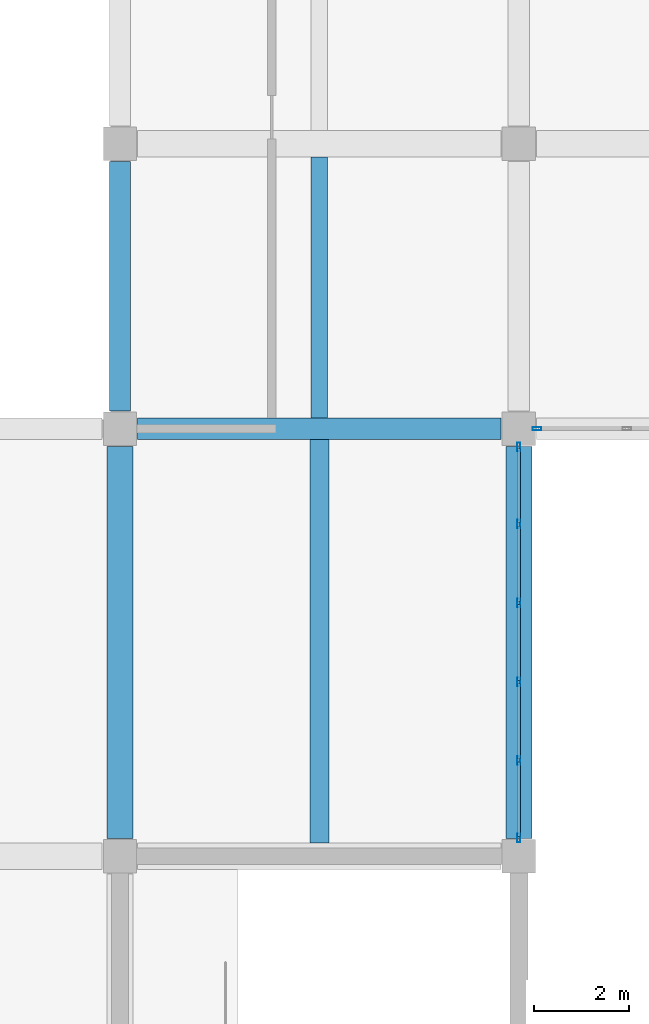
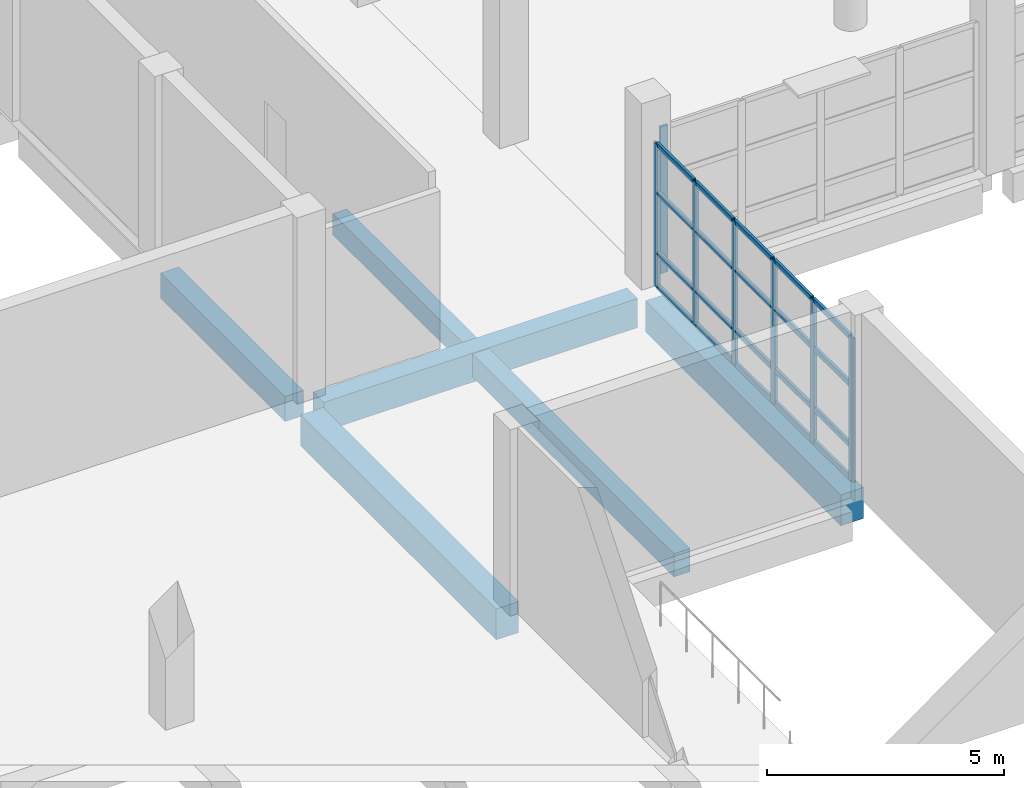
# One storey, part 14 of 91: 27 members, 6 beams, 2 elements without a shape of their own.
"""IFC4 building model written with IfcOpenShell, lengths in metres."""

from ifc_helpers import new_model, si_unit, direction, frame, origin, origin_2d, place, context, subcontext, project, spatial, rectangle, hollow_rectangle, extrude, material, material_profile, profile_set, type_object, element, aggregate, save


model = new_model("IFC4")

# Units and contexts
model_context = context("Model", 3, precision=1e-05, world=origin(), true_north=direction((0.0, 1.0)))
body_context = subcontext(model_context, "Body", "Model", "MODEL_VIEW")
ifc_project = project(units=[si_unit("LENGTHUNIT", "METRE"), si_unit("AREAUNIT", "SQUARE_METRE"), si_unit("VOLUMEUNIT", "CUBIC_METRE"), si_unit("PLANEANGLEUNIT", "RADIAN"), si_unit("MASSUNIT", "GRAM", prefix="KILO")], contexts=[model_context])

# Site, building, storey
site_placement = place(None, origin())
site = spatial("IfcSite", under=ifc_project, at=site_placement, CompositionType="ELEMENT")
building_placement = place(site_placement, origin())
building = spatial("IfcBuilding", under=site, at=building_placement, Name="Pellamere Symphony Hall", CompositionType="ELEMENT")
storey_placement = place(building_placement, frame((0.0, 0.0, 5.39990234375)))
storey = spatial("IfcBuildingStorey", under=building, at=storey_placement, Name="L01", CompositionType="ELEMENT", Elevation=5.39990234375)

# Curtain wall, member
ifc_material_1 = material(Name="Thermally Broken Anodised Aluminium 6063-T6 Curtain Wall", Category="aluminium")
curtain_wall_type_1 = type_object("IfcCurtainWallType", Name="Curtain Wall CW-02 (Winter-Garden South Concourse Curtain Wall)", PredefinedType="NOTDEFINED", material=ifc_material_1)
curtain_wall_1_placement = place(storey_placement, origin())
curtain_wall_1 = element("IfcCurtainWall", 1, at=curtain_wall_1_placement, inside=storey, type_object=curtain_wall_type_1, Name="Winter-Garden South Curtain Wall (L01 Bay 1)", PredefinedType="NOTDEFINED")
ifc_material_2 = material(Name="Anodised Architectural Aluminium 6063-T6", Category="aluminium")
ifc_material_profile_1 = material_profile(ifc_material_2, hollow_rectangle(XDim=0.06494140625, YDim=0.179931640625, WallThickness=0.00390625, at=origin_2d()), Name="ALU-M65X180X4")
ifc_profile_set_1 = profile_set([ifc_material_profile_1], Name="Anodised Architectural Aluminium 6063-T6")
member_type_1 = type_object("IfcMemberType", Name="Curtain Wall Mullion ML-02 ALU-M65X180X4", PredefinedType="MULLION", material=ifc_profile_set_1)
member_1_placement = place(storey_placement, frame((42.382568359375, 18.0, 0.0), z_axis=(0.0, 0.0, 1.0), x_axis=(0.0, 1.0, 0.0)))
member_1 = element("IfcMember", 2, at=member_1_placement, type_object=member_type_1, Name="CW2-066 crystal mullion 1", PredefinedType="MULLION", context=body_context, shape_type="SweptSolid", body=[
    extrude(hollow_rectangle(XDim=0.06494140625, YDim=0.179931640625, WallThickness=0.00390625, at=origin_2d()), origin(), (0.0, 0.0, 1.0), 3.780029296875),
])
aggregate(curtain_wall_1, [member_1])

# Curtain wall, members
curtain_wall_type_2 = type_object("IfcCurtainWallType", Name="Curtain Wall CW-04 (Chamber Music Lobby Curtain Wall)", PredefinedType="NOTDEFINED", material=ifc_material_1)
curtain_wall_2_placement = place(storey_placement, origin())
curtain_wall_2 = element("IfcCurtainWall", 3, at=curtain_wall_2_placement, inside=storey, type_object=curtain_wall_type_2, Name="Chamber Forecourt East Curtain Wall (L01 Bay 1)", PredefinedType="NOTDEFINED")
member_2_placement = place(storey_placement, frame((42.0, 9.382568359375, 0.0), z_axis=(0.0, 0.0, 1.0), x_axis=(-1.0, 0.0, 0.0)))
member_2 = element("IfcMember", 4, at=member_2_placement, type_object=member_type_1, Name="CW4E-116 crystal mullion 1", PredefinedType="MULLION", context=body_context, shape_type="SweptSolid", body=[
    extrude(hollow_rectangle(XDim=0.06494140625, YDim=0.179931640625, WallThickness=0.00390625, at=origin_2d()), origin(), (0.0, 0.0, 1.0), 3.7001953125),
])
member_3_placement = place(storey_placement, frame((42.0, 11.010009765625, 0.0), z_axis=(0.0, 0.0, 1.0), x_axis=(-1.0, 0.0, 0.0)))
member_3 = element("IfcMember", 5, at=member_3_placement, type_object=member_type_1, Name="CW4E-116 crystal mullion 2", PredefinedType="MULLION", context=body_context, shape_type="SweptSolid", body=[
    extrude(hollow_rectangle(XDim=0.06494140625, YDim=0.179931640625, WallThickness=0.00390625, at=origin_2d()), origin(), (0.0, 0.0, 1.0), 3.7001953125),
])
member_4_placement = place(storey_placement, frame((42.0, 12.669921875, 0.0), z_axis=(0.0, 0.0, 1.0), x_axis=(-1.0, 0.0, 0.0)))
member_4 = element("IfcMember", 6, at=member_4_placement, type_object=member_type_1, Name="CW4E-116 crystal mullion 3", PredefinedType="MULLION", context=body_context, shape_type="SweptSolid", body=[
    extrude(hollow_rectangle(XDim=0.06494140625, YDim=0.179931640625, WallThickness=0.00390625, at=origin_2d()), origin(), (0.0, 0.0, 1.0), 3.7001953125),
])
member_5_placement = place(storey_placement, frame((42.0, 14.330078125, 0.0), z_axis=(0.0, 0.0, 1.0), x_axis=(-1.0, 0.0, 0.0)))
member_5 = element("IfcMember", 7, at=member_5_placement, type_object=member_type_1, Name="CW4E-116 crystal mullion 4", PredefinedType="MULLION", context=body_context, shape_type="SweptSolid", body=[
    extrude(hollow_rectangle(XDim=0.06494140625, YDim=0.179931640625, WallThickness=0.00390625, at=origin_2d()), origin(), (0.0, 0.0, 1.0), 3.7001953125),
])
member_6_placement = place(storey_placement, frame((42.0, 15.989990234375, 0.0), z_axis=(0.0, 0.0, 1.0), x_axis=(-1.0, 0.0, 0.0)))
member_6 = element("IfcMember", 8, at=member_6_placement, type_object=member_type_1, Name="CW4E-116 crystal mullion 5", PredefinedType="MULLION", context=body_context, shape_type="SweptSolid", body=[
    extrude(hollow_rectangle(XDim=0.06494140625, YDim=0.179931640625, WallThickness=0.00390625, at=origin_2d()), origin(), (0.0, 0.0, 1.0), 3.7001953125),
])
member_7_placement = place(storey_placement, frame((42.0, 17.617431640625, 0.0), z_axis=(0.0, 0.0, 1.0), x_axis=(-1.0, 0.0, 0.0)))
member_7 = element("IfcMember", 9, at=member_7_placement, type_object=member_type_1, Name="CW4E-116 crystal mullion 6", PredefinedType="MULLION", context=body_context, shape_type="SweptSolid", body=[
    extrude(hollow_rectangle(XDim=0.06494140625, YDim=0.179931640625, WallThickness=0.00390625, at=origin_2d()), origin(), (0.0, 0.0, 1.0), 3.7001953125),
])
ifc_material_profile_2 = material_profile(ifc_material_2, hollow_rectangle(XDim=0.06494140625, YDim=0.139892578125, WallThickness=0.00390625, at=origin_2d()), Name="ALU-T65X140X4")
ifc_profile_set_2 = profile_set([ifc_material_profile_2], Name="Anodised Architectural Aluminium 6063-T6")
member_type_2 = type_object("IfcMemberType", Name="Curtain Wall Transom TR-02 ALU-T65X140X4", PredefinedType="USERDEFINED", material=ifc_profile_set_2)
member_8_placement = place(storey_placement, frame((42.0, 9.4150390625, 0.03271484375), z_axis=(0.0, 1.0, 0.0), x_axis=(-1.0, 0.0, 0.0)))
member_8 = element("IfcMember", 10, at=member_8_placement, type_object=member_type_2, Name="CW4E-116 crystal transom 1.1", ObjectType="TRANSOM", PredefinedType="USERDEFINED", context=body_context, shape_type="SweptSolid", body=[
    extrude(hollow_rectangle(XDim=0.06494140625, YDim=0.139892578125, WallThickness=0.00390625, at=origin_2d()), origin(), (0.0, 0.0, 1.0), 1.5625),
])
member_9_placement = place(storey_placement, frame((42.0, 9.4150390625, 0.88818359375), z_axis=(0.0, 1.0, 0.0), x_axis=(-1.0, 0.0, 0.0)))
member_9 = element("IfcMember", 11, at=member_9_placement, type_object=member_type_2, Name="CW4E-116 crystal transom 1.2", ObjectType="TRANSOM", PredefinedType="USERDEFINED", context=body_context, shape_type="SweptSolid", body=[
    extrude(hollow_rectangle(XDim=0.06494140625, YDim=0.139892578125, WallThickness=0.00390625, at=origin_2d()), origin(), (0.0, 0.0, 1.0), 1.5625),
])
member_10_placement = place(storey_placement, frame((42.0, 9.4150390625, 2.442138671875), z_axis=(0.0, 1.0, 0.0), x_axis=(-1.0, 0.0, 0.0)))
member_10 = element("IfcMember", 12, at=member_10_placement, type_object=member_type_2, Name="CW4E-116 crystal transom 1.3", ObjectType="TRANSOM", PredefinedType="USERDEFINED", context=body_context, shape_type="SweptSolid", body=[
    extrude(hollow_rectangle(XDim=0.06494140625, YDim=0.139892578125, WallThickness=0.00390625, at=origin_2d()), origin(), (0.0, 0.0, 1.0), 1.5625),
])
member_11_placement = place(storey_placement, frame((42.0, 9.4150390625, 3.66748046875), z_axis=(0.0, 1.0, 0.0), x_axis=(-1.0, 0.0, 0.0)))
member_11 = element("IfcMember", 13, at=member_11_placement, type_object=member_type_2, Name="CW4E-116 crystal transom 1.4", ObjectType="TRANSOM", PredefinedType="USERDEFINED", context=body_context, shape_type="SweptSolid", body=[
    extrude(hollow_rectangle(XDim=0.06494140625, YDim=0.139892578125, WallThickness=0.00390625, at=origin_2d()), origin(), (0.0, 0.0, 1.0), 1.5625),
])
member_12_placement = place(storey_placement, frame((42.0, 11.04248046875, 0.03271484375), z_axis=(0.0, 1.0, 0.0), x_axis=(-1.0, 0.0, 0.0)))
member_12 = element("IfcMember", 14, at=member_12_placement, type_object=member_type_2, Name="CW4E-116 crystal transom 2.1", ObjectType="TRANSOM", PredefinedType="USERDEFINED", context=body_context, shape_type="SweptSolid", body=[
    extrude(hollow_rectangle(XDim=0.06494140625, YDim=0.139892578125, WallThickness=0.00390625, at=origin_2d()), origin(), (0.0, 0.0, 1.0), 1.594970703125),
])
member_13_placement = place(storey_placement, frame((42.0, 11.04248046875, 0.88818359375), z_axis=(0.0, 1.0, 0.0), x_axis=(-1.0, 0.0, 0.0)))
member_13 = element("IfcMember", 15, at=member_13_placement, type_object=member_type_2, Name="CW4E-116 crystal transom 2.2", ObjectType="TRANSOM", PredefinedType="USERDEFINED", context=body_context, shape_type="SweptSolid", body=[
    extrude(hollow_rectangle(XDim=0.06494140625, YDim=0.139892578125, WallThickness=0.00390625, at=origin_2d()), origin(), (0.0, 0.0, 1.0), 1.594970703125),
])
member_14_placement = place(storey_placement, frame((42.0, 11.04248046875, 2.442138671875), z_axis=(0.0, 1.0, 0.0), x_axis=(-1.0, 0.0, 0.0)))
member_14 = element("IfcMember", 16, at=member_14_placement, type_object=member_type_2, Name="CW4E-116 crystal transom 2.3", ObjectType="TRANSOM", PredefinedType="USERDEFINED", context=body_context, shape_type="SweptSolid", body=[
    extrude(hollow_rectangle(XDim=0.06494140625, YDim=0.139892578125, WallThickness=0.00390625, at=origin_2d()), origin(), (0.0, 0.0, 1.0), 1.594970703125),
])
member_15_placement = place(storey_placement, frame((42.0, 11.04248046875, 3.66748046875), z_axis=(0.0, 1.0, 0.0), x_axis=(-1.0, 0.0, 0.0)))
member_15 = element("IfcMember", 17, at=member_15_placement, type_object=member_type_2, Name="CW4E-116 crystal transom 2.4", ObjectType="TRANSOM", PredefinedType="USERDEFINED", context=body_context, shape_type="SweptSolid", body=[
    extrude(hollow_rectangle(XDim=0.06494140625, YDim=0.139892578125, WallThickness=0.00390625, at=origin_2d()), origin(), (0.0, 0.0, 1.0), 1.594970703125),
])
member_16_placement = place(storey_placement, frame((42.0, 12.702392578125, 0.03271484375), z_axis=(0.0, 1.0, 0.0), x_axis=(-1.0, 0.0, 0.0)))
member_16 = element("IfcMember", 18, at=member_16_placement, type_object=member_type_2, Name="CW4E-116 crystal transom 3.1", ObjectType="TRANSOM", PredefinedType="USERDEFINED", context=body_context, shape_type="SweptSolid", body=[
    extrude(hollow_rectangle(XDim=0.06494140625, YDim=0.139892578125, WallThickness=0.00390625, at=origin_2d()), origin(), (0.0, 0.0, 1.0), 1.59521484375),
])
member_17_placement = place(storey_placement, frame((42.0, 12.702392578125, 0.88818359375), z_axis=(0.0, 1.0, 0.0), x_axis=(-1.0, 0.0, 0.0)))
member_17 = element("IfcMember", 19, at=member_17_placement, type_object=member_type_2, Name="CW4E-116 crystal transom 3.2", ObjectType="TRANSOM", PredefinedType="USERDEFINED", context=body_context, shape_type="SweptSolid", body=[
    extrude(hollow_rectangle(XDim=0.06494140625, YDim=0.139892578125, WallThickness=0.00390625, at=origin_2d()), origin(), (0.0, 0.0, 1.0), 1.59521484375),
])
member_18_placement = place(storey_placement, frame((42.0, 12.702392578125, 2.442138671875), z_axis=(0.0, 1.0, 0.0), x_axis=(-1.0, 0.0, 0.0)))
member_18 = element("IfcMember", 20, at=member_18_placement, type_object=member_type_2, Name="CW4E-116 crystal transom 3.3", ObjectType="TRANSOM", PredefinedType="USERDEFINED", context=body_context, shape_type="SweptSolid", body=[
    extrude(hollow_rectangle(XDim=0.06494140625, YDim=0.139892578125, WallThickness=0.00390625, at=origin_2d()), origin(), (0.0, 0.0, 1.0), 1.59521484375),
])
member_19_placement = place(storey_placement, frame((42.0, 12.702392578125, 3.66748046875), z_axis=(0.0, 1.0, 0.0), x_axis=(-1.0, 0.0, 0.0)))
member_19 = element("IfcMember", 21, at=member_19_placement, type_object=member_type_2, Name="CW4E-116 crystal transom 3.4", ObjectType="TRANSOM", PredefinedType="USERDEFINED", context=body_context, shape_type="SweptSolid", body=[
    extrude(hollow_rectangle(XDim=0.06494140625, YDim=0.139892578125, WallThickness=0.00390625, at=origin_2d()), origin(), (0.0, 0.0, 1.0), 1.59521484375),
])
member_20_placement = place(storey_placement, frame((42.0, 14.362548828125, 0.03271484375), z_axis=(0.0, 1.0, 0.0), x_axis=(-1.0, 0.0, 0.0)))
member_20 = element("IfcMember", 22, at=member_20_placement, type_object=member_type_2, Name="CW4E-116 crystal transom 4.1", ObjectType="TRANSOM", PredefinedType="USERDEFINED", context=body_context, shape_type="SweptSolid", body=[
    extrude(hollow_rectangle(XDim=0.06494140625, YDim=0.139892578125, WallThickness=0.00390625, at=origin_2d()), origin(), (0.0, 0.0, 1.0), 1.594970703125),
])
member_21_placement = place(storey_placement, frame((42.0, 14.362548828125, 0.88818359375), z_axis=(0.0, 1.0, 0.0), x_axis=(-1.0, 0.0, 0.0)))
member_21 = element("IfcMember", 23, at=member_21_placement, type_object=member_type_2, Name="CW4E-116 crystal transom 4.2", ObjectType="TRANSOM", PredefinedType="USERDEFINED", context=body_context, shape_type="SweptSolid", body=[
    extrude(hollow_rectangle(XDim=0.06494140625, YDim=0.139892578125, WallThickness=0.00390625, at=origin_2d()), origin(), (0.0, 0.0, 1.0), 1.594970703125),
])
member_22_placement = place(storey_placement, frame((42.0, 14.362548828125, 2.442138671875), z_axis=(0.0, 1.0, 0.0), x_axis=(-1.0, 0.0, 0.0)))
member_22 = element("IfcMember", 24, at=member_22_placement, type_object=member_type_2, Name="CW4E-116 crystal transom 4.3", ObjectType="TRANSOM", PredefinedType="USERDEFINED", context=body_context, shape_type="SweptSolid", body=[
    extrude(hollow_rectangle(XDim=0.06494140625, YDim=0.139892578125, WallThickness=0.00390625, at=origin_2d()), origin(), (0.0, 0.0, 1.0), 1.594970703125),
])
member_23_placement = place(storey_placement, frame((42.0, 14.362548828125, 3.66748046875), z_axis=(0.0, 1.0, 0.0), x_axis=(-1.0, 0.0, 0.0)))
member_23 = element("IfcMember", 25, at=member_23_placement, type_object=member_type_2, Name="CW4E-116 crystal transom 4.4", ObjectType="TRANSOM", PredefinedType="USERDEFINED", context=body_context, shape_type="SweptSolid", body=[
    extrude(hollow_rectangle(XDim=0.06494140625, YDim=0.139892578125, WallThickness=0.00390625, at=origin_2d()), origin(), (0.0, 0.0, 1.0), 1.594970703125),
])
member_24_placement = place(storey_placement, frame((42.0, 16.0224609375, 0.03271484375), z_axis=(0.0, 1.0, 0.0), x_axis=(-1.0, 0.0, 0.0)))
member_24 = element("IfcMember", 26, at=member_24_placement, type_object=member_type_2, Name="CW4E-116 crystal transom 5.1", ObjectType="TRANSOM", PredefinedType="USERDEFINED", context=body_context, shape_type="SweptSolid", body=[
    extrude(hollow_rectangle(XDim=0.06494140625, YDim=0.139892578125, WallThickness=0.00390625, at=origin_2d()), origin(), (0.0, 0.0, 1.0), 1.5625),
])
member_25_placement = place(storey_placement, frame((42.0, 16.0224609375, 0.88818359375), z_axis=(0.0, 1.0, 0.0), x_axis=(-1.0, 0.0, 0.0)))
member_25 = element("IfcMember", 27, at=member_25_placement, type_object=member_type_2, Name="CW4E-116 crystal transom 5.2", ObjectType="TRANSOM", PredefinedType="USERDEFINED", context=body_context, shape_type="SweptSolid", body=[
    extrude(hollow_rectangle(XDim=0.06494140625, YDim=0.139892578125, WallThickness=0.00390625, at=origin_2d()), origin(), (0.0, 0.0, 1.0), 1.5625),
])
member_26_placement = place(storey_placement, frame((42.0, 16.0224609375, 2.442138671875), z_axis=(0.0, 1.0, 0.0), x_axis=(-1.0, 0.0, 0.0)))
member_26 = element("IfcMember", 28, at=member_26_placement, type_object=member_type_2, Name="CW4E-116 crystal transom 5.3", ObjectType="TRANSOM", PredefinedType="USERDEFINED", context=body_context, shape_type="SweptSolid", body=[
    extrude(hollow_rectangle(XDim=0.06494140625, YDim=0.139892578125, WallThickness=0.00390625, at=origin_2d()), origin(), (0.0, 0.0, 1.0), 1.5625),
])
member_27_placement = place(storey_placement, frame((42.0, 16.0224609375, 3.66748046875), z_axis=(0.0, 1.0, 0.0), x_axis=(-1.0, 0.0, 0.0)))
member_27 = element("IfcMember", 29, at=member_27_placement, type_object=member_type_2, Name="CW4E-116 crystal transom 5.4", ObjectType="TRANSOM", PredefinedType="USERDEFINED", context=body_context, shape_type="SweptSolid", body=[
    extrude(hollow_rectangle(XDim=0.06494140625, YDim=0.139892578125, WallThickness=0.00390625, at=origin_2d()), origin(), (0.0, 0.0, 1.0), 1.5625),
])
aggregate(curtain_wall_2, [member_2, member_3, member_4, member_5, member_6, member_7, member_8, member_9, member_10, member_11, member_12, member_13, member_14, member_15, member_16, member_17, member_18, member_19, member_20, member_21, member_22, member_23, member_24, member_25, member_26, member_27])

# Beams
ifc_material_3 = material(Name="Concrete 40 MPa", Category="concrete")
ifc_material_profile_3 = material_profile(ifc_material_3, rectangle(XDim=0.550048828125, YDim=0.800048828125, at=origin_2d()), Name="RC 550x800")
ifc_profile_set_3 = profile_set([ifc_material_profile_3], Name="Concrete 40 MPa")
beam_type_1 = type_object("IfcBeamType", Name="RC CB-05 550x800", PredefinedType="BEAM", material=ifc_profile_set_3)
for number, where, z_axis, x_axis, name in (
    (30, (33.60009765625, 9.375, -0.679931640625), (0.0, 1.0, 0.0), (-1.0, 0.0, 0.0), "Girder CB-05-Y0735 (L01)"),
    (31, (42.0, 9.375, -0.679931640625), (0.0, 1.0, 0.0), (-1.0, 0.0, 0.0), "Girder CB-05-Y0741 (L01)"),
):
    element("IfcBeam", number, at=place(storey_placement, frame(where, z_axis=z_axis, x_axis=x_axis)), inside=storey, type_object=beam_type_1, Name=name, PredefinedType="BEAM", context=body_context, shape_type="SweptSolid", body=[
        extrude(rectangle(XDim=0.550048828125, YDim=0.800048828125, at=origin_2d()), origin(), (0.0, 0.0, 1.0), 8.25),
    ])
ifc_material_profile_4 = material_profile(ifc_material_3, rectangle(XDim=0.449951171875, YDim=0.64990234375, at=origin_2d()), Name="RC 450x650")
ifc_profile_set_4 = profile_set([ifc_material_profile_4], Name="Concrete 40 MPa")
beam_type_2 = type_object("IfcBeamType", Name="RC CB-08 450x650", PredefinedType="BEAM", material=ifc_profile_set_4)
beam_1_placement = place(storey_placement, frame((33.60009765625, 18.375, -0.60498046875), z_axis=(0.0, 1.0, 0.0), x_axis=(-1.0, 0.0, 0.0)))
element("IfcBeam", 32, at=beam_1_placement, inside=storey, type_object=beam_type_2, Name="Girder CB-08-Y0736 (L01)", PredefinedType="BEAM", context=body_context, shape_type="SweptSolid", body=[
    extrude(rectangle(XDim=0.449951171875, YDim=0.64990234375, at=origin_2d()), origin(), (0.0, 0.0, 1.0), 5.25),
])
ifc_material_profile_5 = material_profile(ifc_material_3, rectangle(XDim=0.39990234375, YDim=0.60009765625, at=origin_2d()), Name="RC 400x600")
ifc_profile_set_5 = profile_set([ifc_material_profile_5], Name="Concrete 40 MPa")
beam_type_3 = type_object("IfcBeamType", Name="RC CB-09 400x600", PredefinedType="BEAM", material=ifc_profile_set_5)
beam_2_placement = place(storey_placement, frame((37.800048828125, 9.280029296875, -0.594970703125), z_axis=(0.0, 1.0, 0.0), x_axis=(-1.0, 0.0, 0.0)))
element("IfcBeam", 33, at=beam_2_placement, inside=storey, type_object=beam_type_3, Name="Secondary Floor Beam CB-09-M0401 (L01)", PredefinedType="BEAM", context=body_context, shape_type="SweptSolid", body=[
    extrude(rectangle(XDim=0.39990234375, YDim=0.60009765625, at=origin_2d()), origin(), (0.0, 0.0, 1.0), 8.494873046875),
])
ifc_material_4 = material(Name="Concrete 35 MPa", Category="concrete")
ifc_material_profile_6 = material_profile(ifc_material_4, rectangle(XDim=0.35009765625, YDim=0.550048828125, at=origin_2d()), Name="RC 350x550")
ifc_profile_set_6 = profile_set([ifc_material_profile_6], Name="Concrete 35 MPa")
beam_type_4 = type_object("IfcBeamType", Name="RC CB-10 350x550", PredefinedType="BEAM", material=ifc_profile_set_6)
beam_3_placement = place(storey_placement, frame((37.800048828125, 18.22509765625, -0.56982421875), z_axis=(0.0, 1.0, 0.0), x_axis=(-1.0, 0.0, 0.0)))
element("IfcBeam", 34, at=beam_3_placement, inside=storey, type_object=beam_type_4, Name="Secondary Floor Beam CB-10-M0402 (L01)", PredefinedType="BEAM", context=body_context, shape_type="SweptSolid", body=[
    extrude(rectangle(XDim=0.35009765625, YDim=0.550048828125, at=origin_2d()), origin(), (0.0, 0.0, 1.0), 5.494873046875),
])
ifc_material_profile_7 = material_profile(ifc_material_3, rectangle(XDim=0.449951171875, YDim=0.75, at=origin_2d()), Name="RC 450x750")
ifc_profile_set_7 = profile_set([ifc_material_profile_7], Name="Concrete 40 MPa")
beam_type_5 = type_object("IfcBeamType", Name="RC CB-12 450x750", PredefinedType="SPANDREL", material=ifc_profile_set_7)
beam_4_placement = place(storey_placement, frame((33.97509765625, 18.0, -0.65478515625), z_axis=(1.0, 0.0, 0.0), x_axis=(0.0, 1.0, 0.0)))
element("IfcBeam", 35, at=beam_4_placement, inside=storey, type_object=beam_type_5, Name="Girder CB-12-X0546 (L01)", PredefinedType="SPANDREL", context=body_context, shape_type="SweptSolid", body=[
    extrude(rectangle(XDim=0.449951171875, YDim=0.75, at=origin_2d()), origin(), (0.0, 0.0, 1.0), 7.64990234375),
])

save(model, "model.ifc")
